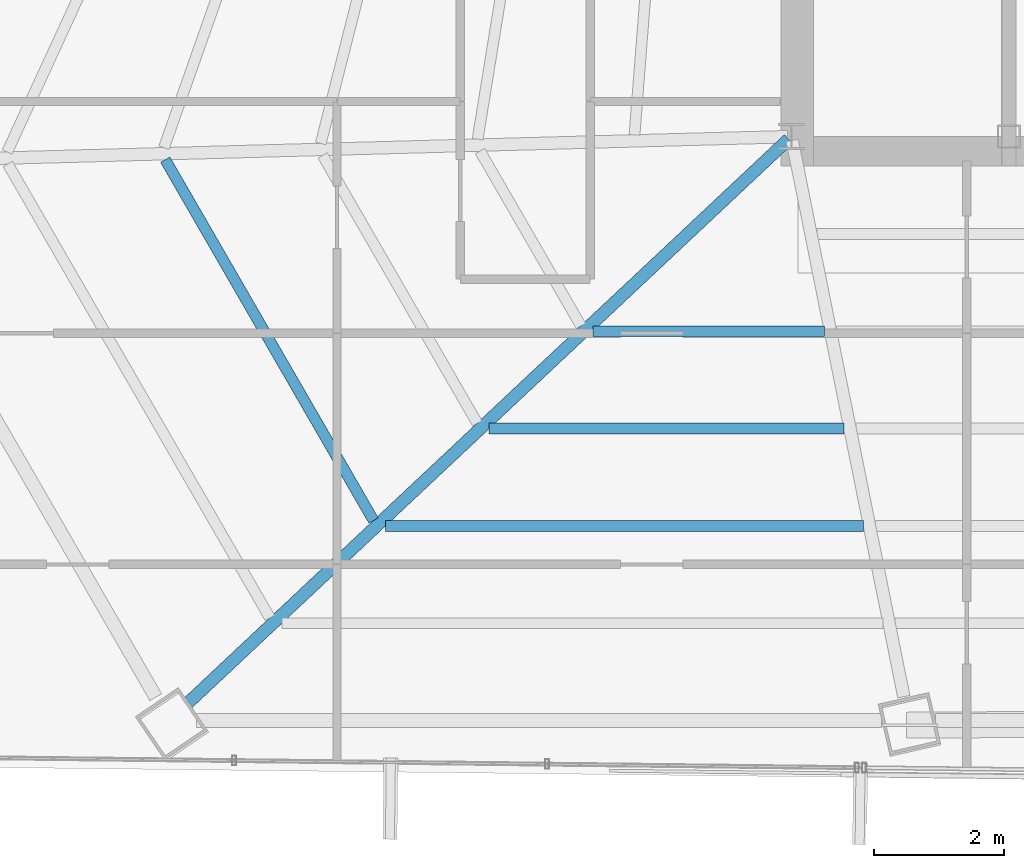
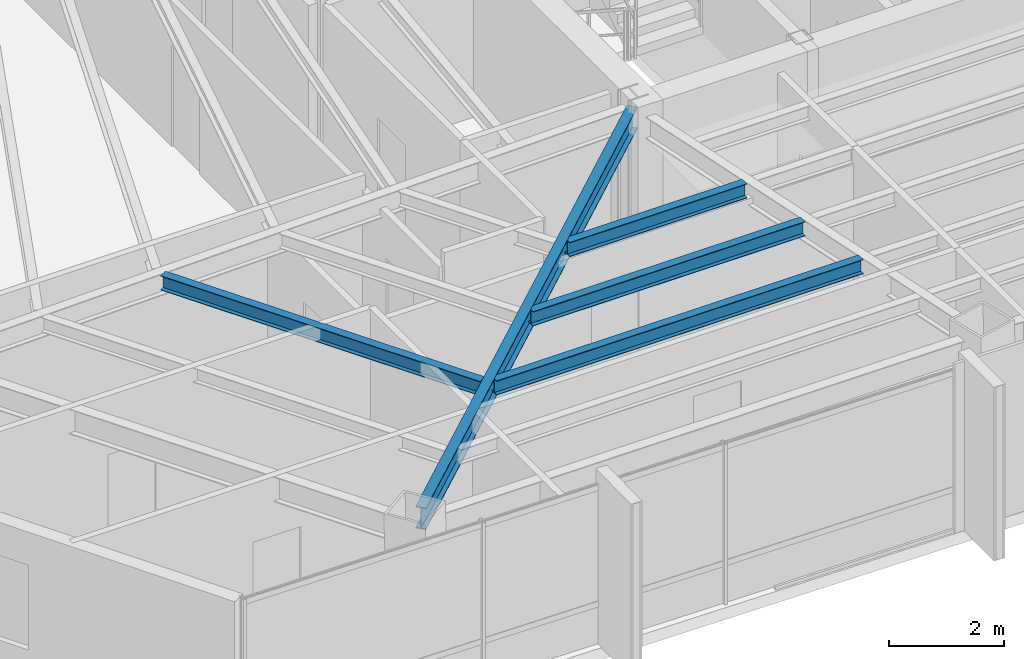
# One storey, part 6 of 42: 5 beams.
"""IFC4 building model written with IfcOpenShell, lengths in metres."""

from ifc_helpers import new_model, si_unit, direction, frame, origin, origin_2d, place, context, subcontext, project, spatial, i_section, extrude, source, transform, mapped, material, material_profile, profile_set, type_object, type_shapes, element, save


model = new_model("IFC4")

# Units and contexts
model_context = context("Model", 3, precision=1e-05, world=origin(), true_north=direction((0.0, 1.0)))
body_context = subcontext(model_context, "Body", "Model", "MODEL_VIEW")
ifc_project = project(units=[si_unit("LENGTHUNIT", "METRE"), si_unit("AREAUNIT", "SQUARE_METRE"), si_unit("VOLUMEUNIT", "CUBIC_METRE"), si_unit("PLANEANGLEUNIT", "RADIAN"), si_unit("MASSUNIT", "GRAM", prefix="KILO")], contexts=[model_context])

# Site, building, storey
site_placement = place(None, origin())
site = spatial("IfcSite", under=ifc_project, at=site_placement, CompositionType="ELEMENT")
building_placement = place(site_placement, origin())
building = spatial("IfcBuilding", under=site, at=building_placement, Name="Caelisora Broadcast Tower", CompositionType="ELEMENT")
storey_placement = place(building_placement, frame((0.0, 0.0, 205.949951171875)))
storey = spatial("IfcBuildingStorey", under=building, at=storey_placement, Name="L54", CompositionType="ELEMENT", Elevation=205.949951171875)

# Beams
ifc_material = material(Name="Steel Grade 350 (AS/NZS 3679.1)", Category="steel")
ifc_material_profile_1 = material_profile(ifc_material, i_section(OverallWidth=0.19091796875, OverallDepth=0.46044921875, WebThickness=0.010009765625, FlangeThickness=0.01611328125, at=origin_2d()), Name="Steel Grade 350 (AS/NZS 3679.1)")
ifc_profile_set_1 = profile_set([ifc_material_profile_1], Name="Steel Grade 350 (AS/NZS 3679.1)")
beam_type_1 = type_object("IfcBeamType", Name="PG06", PredefinedType="BEAM", material=ifc_profile_set_1)
shared_shape_1 = source(origin(), body_context, "Body", "SweptSolid", [
    extrude(i_section(OverallWidth=0.19091796875, OverallDepth=0.46044921875, WebThickness=0.010009765625, FlangeThickness=0.01611328125, at=origin_2d()), origin(), (0.0, 0.0, 1.0), 12.707763671875),
])
type_shapes(beam_type_1, [shared_shape_1])
beam_1_placement = place(storey_placement, frame((30.456298828125, 17.35888671875, 3.169921875), z_axis=(-0.729134464161, -0.68437046486, 0.0), x_axis=(0.68437046486, -0.729134464161, 0.0)))
element("IfcBeam", 1, at=beam_1_placement, inside=storey, type_object=beam_type_1, Name="L54 beam PG06", PredefinedType="BEAM", context=body_context, shape_type="MappedRepresentation", body=[
    mapped(shared_shape_1, transform((0.0, 0.0, 0.0), scale=1.0)),
])
ifc_material_profile_2 = material_profile(ifc_material, i_section(OverallWidth=0.166015625, OverallDepth=0.30712890625, WebThickness=0.006591796875, FlangeThickness=0.01171875, at=origin_2d()), Name="Steel Grade 350 (AS/NZS 3679.1)")
ifc_profile_set_2 = profile_set([ifc_material_profile_2], Name="Steel Grade 350 (AS/NZS 3679.1)")
beam_type_2 = type_object("IfcBeamType", Name="SB03", PredefinedType="JOIST", material=ifc_profile_set_2)
shared_shape_2 = source(origin(), body_context, "Body", "SweptSolid", [
    extrude(i_section(OverallWidth=0.166015625, OverallDepth=0.30712890625, WebThickness=0.006591796875, FlangeThickness=0.01171875, at=origin_2d()), origin(), (0.0, 0.0, 1.0), 6.41796875),
])
beam_2_placement = place(storey_placement, frame((20.8544921875, 17.043701171875, 3.246337890625), z_axis=(0.500001248813, -0.866024682781, 0.0), x_axis=(0.866024682781, 0.500001248813, 0.0)))
element("IfcBeam", 2, at=beam_2_placement, inside=storey, type_object=beam_type_2, Name="L54 beam SB03", PredefinedType="JOIST", context=body_context, shape_type="MappedRepresentation", body=[
    mapped(shared_shape_2, transform((0.0, 0.0, 0.0), scale=1.0)),
])
shared_shape_3 = source(origin(), body_context, "Body", "SweptSolid", [
    extrude(i_section(OverallWidth=0.166015625, OverallDepth=0.30712890625, WebThickness=0.006591796875, FlangeThickness=0.01171875, at=origin_2d()), origin(), (0.0, 0.0, 1.0), 3.5654296875),
])
beam_3_placement = place(storey_placement, frame((27.44189453125, 14.401611328125, 3.246337890625), z_axis=(1.0, 0.0, 0.0), x_axis=(0.0, 1.0, 0.0)))
element("IfcBeam", 3, at=beam_3_placement, inside=storey, type_object=beam_type_2, Name="L54 beam SB03", PredefinedType="JOIST", context=body_context, shape_type="MappedRepresentation", body=[
    mapped(shared_shape_3, transform((0.0, 0.0, 0.0), scale=1.0)),
])
shared_shape_4 = source(origin(), body_context, "Body", "SweptSolid", [
    extrude(i_section(OverallWidth=0.166015625, OverallDepth=0.30712890625, WebThickness=0.006591796875, FlangeThickness=0.01171875, at=origin_2d()), origin(), (0.0, 0.0, 1.0), 5.463623046875),
])
beam_4_placement = place(storey_placement, frame((25.8447265625, 12.90234375, 3.246337890625), z_axis=(1.0, 0.0, 0.0), x_axis=(0.0, 1.0, 0.0)))
element("IfcBeam", 4, at=beam_4_placement, inside=storey, type_object=beam_type_2, Name="L54 beam SB03", PredefinedType="JOIST", context=body_context, shape_type="MappedRepresentation", body=[
    mapped(shared_shape_4, transform((0.0, 0.0, 0.0), scale=1.0)),
])
shared_shape_5 = source(origin(), body_context, "Body", "SweptSolid", [
    extrude(i_section(OverallWidth=0.166015625, OverallDepth=0.30712890625, WebThickness=0.006591796875, FlangeThickness=0.01171875, at=origin_2d()), origin(), (0.0, 0.0, 1.0), 7.36181640625),
])
type_shapes(beam_type_2, [shared_shape_2, shared_shape_3, shared_shape_4, shared_shape_5])
beam_5_placement = place(storey_placement, frame((24.24755859375, 11.4033203125, 3.246337890625), z_axis=(1.0, 0.0, 0.0), x_axis=(0.0, 1.0, 0.0)))
element("IfcBeam", 5, at=beam_5_placement, inside=storey, type_object=beam_type_2, Name="L54 beam SB03", PredefinedType="JOIST", context=body_context, shape_type="MappedRepresentation", body=[
    mapped(shared_shape_5, transform((0.0, 0.0, 0.0), scale=1.0)),
])

save(model, "model.ifc")
